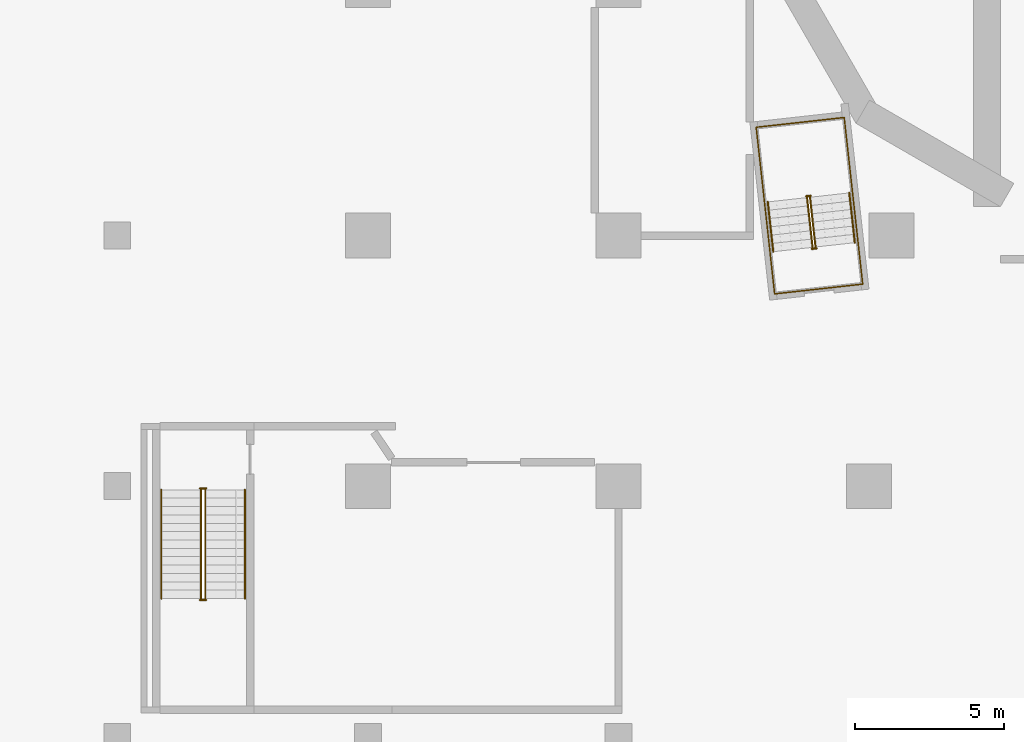
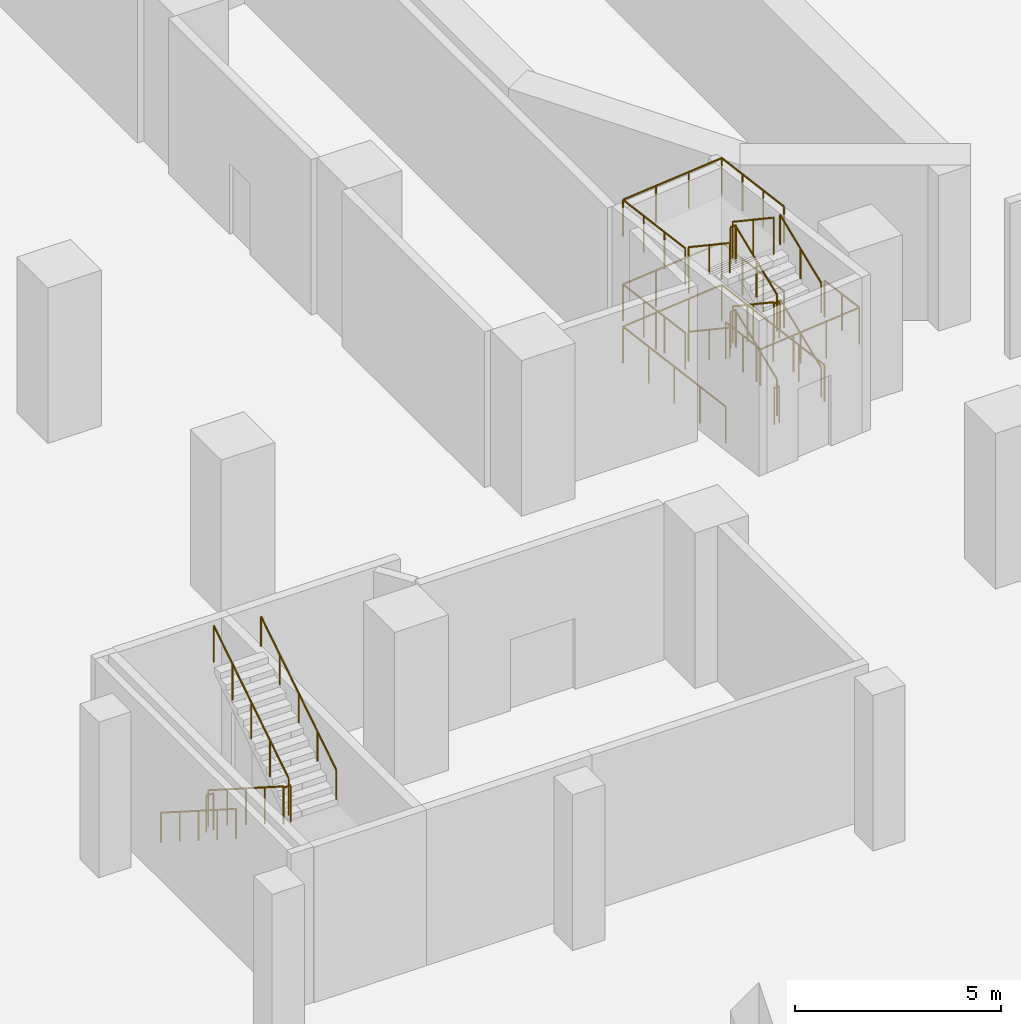
# One storey, part 13 of 20: 19 railings.
"""IFC4 building model written with IfcOpenShell, lengths in metres."""

import ifcopenshell
import ifcopenshell.guid

model = None  # the IFC model being written
_history = None  # IfcOwnerHistory: only IFC2X3 demands one
_inside = {}  # id of a spatial element -> (the spatial element, [elements in it])
_under = {}  # id of a project, library or spatial element -> (it, [spatial elements below it])
_declared = {}  # id of a project -> (the project, [libraries it declares])
_typed = {}  # id of a type object -> (the type object, [elements of that type])
_made_of = {}  # id of a material, layer set ... -> (it, [elements and type objects made of it])


def new_model(schema):
    """Start an empty IFC model of exactly this schema.

    Asked for "IFC4X3", IfcOpenShell would pick the latest addendum, in which some entities
    have other attributes; the version numbers below select the first issue.
    IFC2X3 requires an IfcOwnerHistory on every rooted entity: one is made here for all.
    """
    global model, _history
    if schema == "IFC4X3":
        model = ifcopenshell.file(schema_version=(4, 3, 0, 0))
    else:
        model = ifcopenshell.file(schema=schema)
    _inside.clear()
    _under.clear()
    _declared.clear()
    _typed.clear()
    _made_of.clear()
    _history = None
    if model.schema == "IFC2X3":
        org = make("IfcOrganization", Name="unknown")
        user = make(
            "IfcPersonAndOrganization",
            ThePerson=make("IfcPerson", FamilyName="unknown"),
            TheOrganization=org,
        )
        app = make(
            "IfcApplication",
            ApplicationDeveloper=org,
            Version="unknown",
            ApplicationFullName="unknown",
            ApplicationIdentifier="unknown",
        )
        _history = make(
            "IfcOwnerHistory",
            OwningUser=user,
            OwningApplication=app,
            ChangeAction="ADDED",
            CreationDate=0,
        )
    return model


def make(cls, **values):
    """One entity of the class cls with the attributes given. An attribute that is None is left unset."""
    return model.create_entity(
        cls, **{name: value for name, value in values.items() if value is not None}
    )


def rooted(cls, **values):
    """An entity with a GlobalId (a new one), such as an element, a storey or a relation."""
    return make(cls, GlobalId=ifcopenshell.guid.new(), OwnerHistory=_history, **values)


def si_unit(unit_type, name, prefix=None):
    """IfcSIUnit, for example si_unit("LENGTHUNIT", "METRE", prefix="MILLI")."""
    return make("IfcSIUnit", UnitType=unit_type, Prefix=prefix, Name=name)


def assignment(units):
    """IfcUnitAssignment: the units of a project."""
    return None if units is None else make("IfcUnitAssignment", Units=units)


def point(xyz):
    """IfcCartesianPoint."""
    return None if xyz is None else make("IfcCartesianPoint", Coordinates=xyz)


def direction(xyz):
    """IfcDirection."""
    return None if xyz is None else make("IfcDirection", DirectionRatios=xyz)


def frame(location, z_axis=None, x_axis=None):
    """IfcAxis2Placement3D, a coordinate frame: its origin and axes. An axis left out is left unset."""
    return make(
        "IfcAxis2Placement3D",
        Location=point(location),
        Axis=direction(z_axis),
        RefDirection=direction(x_axis),
    )


def frame_2d(location, x_axis=None):
    """IfcAxis2Placement2D, a coordinate frame in the plane: its origin and x axis."""
    return make(
        "IfcAxis2Placement2D", Location=point(location), RefDirection=direction(x_axis)
    )


def origin():
    """The frame at (0, 0, 0) with its axes left unset."""
    return frame((0.0, 0.0, 0.0))


def origin_2d():
    """The frame at (0, 0) in the plane with its x axis left unset."""
    return frame_2d((0.0, 0.0))


def place(relative_to, where):
    """IfcLocalPlacement: puts the frame where relative to a parent placement (None: the world)."""
    return make(
        "IfcLocalPlacement", PlacementRelTo=relative_to, RelativePlacement=where
    )


def context(
    kind, dimensions, precision=None, world=None, true_north=None, identifier=None
):
    """IfcGeometricRepresentationContext, for example the 3D "Model" context."""
    return make(
        "IfcGeometricRepresentationContext",
        ContextIdentifier=identifier,
        ContextType=kind,
        CoordinateSpaceDimension=dimensions,
        Precision=precision,
        WorldCoordinateSystem=world,
        TrueNorth=true_north,
    )


def subcontext(parent, identifier, kind, view, scale=None):
    """IfcGeometricRepresentationSubContext, for example "Body" below "Model"."""
    return make(
        "IfcGeometricRepresentationSubContext",
        ContextIdentifier=identifier,
        ContextType=kind,
        ParentContext=parent,
        TargetScale=scale,
        TargetView=view,
    )


def project(units=None, contexts=None):
    """IfcProject with its units and contexts."""
    return rooted(
        "IfcProject",
        Name="project",
        RepresentationContexts=contexts,
        UnitsInContext=assignment(units),
    )


def spatial(cls, under=None, at=None, **own):
    """A site, building, storey or space (cls), placed at a placement, below another one or the project."""
    s = rooted(cls, ObjectPlacement=at, **own)
    if under is not None:
        _under.setdefault(under.id(), (under, []))[1].append(s)
    return s


def profile(cls, at=None, kind="AREA", **sizes):
    """A parametric profile (cls). Its sizes go by their IFC names, for example OverallWidth=200.0."""
    return make(cls, ProfileType=kind, Position=at, **sizes)


def circle(**sizes):
    """IfcCircleProfileDef."""
    return profile("IfcCircleProfileDef", **sizes)


def extrude(swept, where, along, depth):
    """IfcExtrudedAreaSolid: the profile swept, set in the frame where, extruded along a direction by depth."""
    return make(
        "IfcExtrudedAreaSolid",
        SweptArea=swept,
        Position=where,
        ExtrudedDirection=direction(along),
        Depth=depth,
    )


def shape(context_of_items, identifier, shape_type, items):
    """IfcShapeRepresentation: the items that make up one representation, for example the "Body"."""
    return make(
        "IfcShapeRepresentation",
        ContextOfItems=context_of_items,
        RepresentationIdentifier=identifier,
        RepresentationType=shape_type,
        Items=items,
    )


def material(Name=None, Category=None):
    """IfcMaterial."""
    return make("IfcMaterial", Name=Name, Category=Category)


def made_of(thing, what):
    """Note that an element or type object is made of a material, layer set ...; save() writes the relation."""
    if what is not None:
        _made_of.setdefault(what.id(), (what, []))[1].append(thing)
    return thing


def type_object(cls, material=None, **own):
    """A type object (cls), such as IfcWallType, which elements share."""
    return made_of(rooted(cls, **own), material)


def element(
    cls,
    number,
    at=None,
    inside=None,
    cuts=None,
    type_object=None,
    material=None,
    context=None,
    identifier="Body",
    shape_type=None,
    held_by="IfcProductDefinitionShape",
    body=None,
    shapes=None,
    **own,
):
    """One element of the class cls, such as IfcWall. Its Tag is "e" and its number.

    at: its placement. inside: the storey or other place that contains it. cuts: it is an
    opening in that element (IfcRelVoidsElement). A single representation is given by context,
    identifier, shape_type and body (its items); several are given by shapes. held_by: the class
    of the entity that holds the representations. save() writes the other relations.
    """
    e = rooted(cls, Tag="e%d" % number, ObjectPlacement=at, **own)
    if body is not None:
        shapes = [shape(context, identifier, shape_type, body)]
    if shapes is not None:
        e.Representation = make(held_by, Representations=shapes)
    if inside is not None:
        _inside.setdefault(inside.id(), (inside, []))[1].append(e)
    if cuts is not None:
        rooted(
            "IfcRelVoidsElement", RelatingBuildingElement=cuts, RelatedOpeningElement=e
        )
    if type_object is not None:
        _typed.setdefault(type_object.id(), (type_object, []))[1].append(e)
    return made_of(e, material)


def aggregate(whole, parts):
    """IfcRelAggregates: a whole, such as a stair, and the parts it consists of."""
    return rooted("IfcRelAggregates", RelatingObject=whole, RelatedObjects=parts)


def save(model, path):
    """Write the relations noted so far, then the file.

    IfcRelAggregates (storeys below a building ...), IfcRelContainedInSpatialStructure (elements
    in a storey), IfcRelDefinesByType, IfcRelAssociatesMaterial and IfcRelDeclares: one each for
    every whole, place, type object, material and project.
    """
    for whole, parts in _under.values():
        aggregate(whole, parts)
    for where, things in _inside.values():
        rooted(
            "IfcRelContainedInSpatialStructure",
            RelatedElements=things,
            RelatingStructure=where,
        )
    for kind, things in _typed.values():
        rooted("IfcRelDefinesByType", RelatedObjects=things, RelatingType=kind)
    for what, things in _made_of.values():
        rooted("IfcRelAssociatesMaterial", RelatedObjects=things, RelatingMaterial=what)
    for by, libraries in _declared.values():
        rooted("IfcRelDeclares", RelatingContext=by, RelatedDefinitions=libraries)
    model.write(path)


model = new_model("IFC4")

# Units and contexts
model_context = context("Model", 3, precision=1e-05, world=origin(), true_north=direction((0.0, 1.0)))
body_context = subcontext(model_context, "Body", "Model", "MODEL_VIEW")
ifc_project = project(units=[si_unit("LENGTHUNIT", "METRE"), si_unit("AREAUNIT", "SQUARE_METRE"), si_unit("VOLUMEUNIT", "CUBIC_METRE"), si_unit("PLANEANGLEUNIT", "RADIAN"), si_unit("MASSUNIT", "GRAM", prefix="KILO")], contexts=[model_context])

# Site, building, storey
site_placement = place(None, origin())
site = spatial("IfcSite", under=ifc_project, at=site_placement, CompositionType="ELEMENT")
building_placement = place(site_placement, origin())
building = spatial("IfcBuilding", under=site, at=building_placement, Name="Cantera Rosa Tower", CompositionType="ELEMENT")
storey_placement = place(building_placement, frame((0.0, 0.0, -5.0)))
storey = spatial("IfcBuildingStorey", under=building, at=storey_placement, Name="B1", CompositionType="ELEMENT", Elevation=-5.0)

# Railings
ifc_material_1 = material(Name="Steel S355J2 (EN 10025-2)", Category="steel")
railing_type_1 = type_object("IfcRailingType", Name="STAIR GUARD 1100", PredefinedType="GUARDRAIL", material=ifc_material_1)
railing_1_placement = place(storey_placement, frame((-10.19677734375, -12.986083984375, 0.178466796875)))
element("IfcRailing", 1, at=railing_1_placement, inside=storey, type_object=railing_type_1, Name="B1 ST-13 stair guard 1", PredefinedType="GUARDRAIL", context=body_context, shape_type="SweptSolid", body=[
    extrude(circle(Radius=0.02392578125, at=origin_2d()), frame((0.0, 0.0, 1.076171875), z_axis=(-0.092996744609, 0.837950904326, 0.537763784046), x_axis=(-0.993897904819, -0.110303920128, 0.0)), (0.0, 0.0, 1.0), 1.99267578125),
    extrude(circle(Radius=0.02392578125, at=origin_2d()), frame((-0.185302734375, 1.669677734375, 2.1474609375), z_axis=(0.358689472963, 0.933456941688, 0.0), x_axis=(-0.933456941688, 0.358689472963, 0.0)), (0.0, 0.0, 1.0), 0.056396484375),
    extrude(circle(Radius=0.02392578125, at=origin_2d()), frame((-0.1650390625, 1.722412109375, 2.1474609375), z_axis=(-0.993863881828, -0.110610055588, 0.0), x_axis=(0.110610055588, -0.993863881828, 0.0)), (0.0, 0.0, 1.0), 0.150146484375),
    extrude(circle(Radius=0.02099609375, at=origin_2d()), origin(), (0.0, 0.0, 1.0), 1.052001953125),
    extrude(circle(Radius=0.02099609375, at=origin_2d()), frame((-0.0927734375, 0.8349609375, 0.53564453125)), (0.0, 0.0, 1.0), 1.052001953125),
    extrude(circle(Radius=0.02099609375, at=origin_2d()), frame((-0.185302734375, 1.669677734375, 1.071533203125)), (0.0, 0.0, 1.0), 1.052001953125),
    extrude(circle(Radius=0.02099609375, at=origin_2d()), frame((-0.1650390625, 1.722412109375, 1.071533203125)), (0.0, 0.0, 1.0), 1.052001953125),
    extrude(circle(Radius=0.02099609375, at=origin_2d()), frame((-0.314208984375, 1.705810546875, 1.071533203125)), (0.0, 0.0, 1.0), 1.052001953125),
])
railing_2_placement = place(storey_placement, frame((-10.4794921875, -11.3271484375, 1.428466796875)))
element("IfcRailing", 2, at=railing_2_placement, inside=storey, type_object=railing_type_1, Name="B1 ST-13 stair guard 2", PredefinedType="GUARDRAIL", context=body_context, shape_type="SweptSolid", body=[
    extrude(circle(Radius=0.02392578125, at=origin_2d()), frame((0.0, 0.0, 1.076171875), z_axis=(0.092996744609, -0.837950904326, 0.537763784046), x_axis=(0.993897904819, 0.110303920128, 0.0)), (0.0, 0.0, 1.0), 1.99267578125),
    extrude(circle(Radius=0.02392578125, at=origin_2d()), frame((0.185302734375, -1.669677734375, 2.1474609375), z_axis=(-0.363909256389, -0.931434406233, 0.0), x_axis=(0.931434406233, -0.363909256389, 0.0)), (0.0, 0.0, 1.0), 0.056396484375),
    extrude(circle(Radius=0.02392578125, at=origin_2d()), frame((0.164794921875, -1.72216796875, 2.1474609375), z_axis=(0.994041430915, 0.1090029065, 0.0), x_axis=(-0.1090029065, 0.994041430915, 0.0)), (0.0, 0.0, 1.0), 0.150146484375),
    extrude(circle(Radius=0.02099609375, at=origin_2d()), origin(), (0.0, 0.0, 1.0), 1.052001953125),
    extrude(circle(Radius=0.02099609375, at=origin_2d()), frame((0.0927734375, -0.8349609375, 0.53564453125)), (0.0, 0.0, 1.0), 1.052001953125),
    extrude(circle(Radius=0.02099609375, at=origin_2d()), frame((0.185302734375, -1.669677734375, 1.071533203125)), (0.0, 0.0, 1.0), 1.052001953125),
    extrude(circle(Radius=0.02099609375, at=origin_2d()), frame((0.164794921875, -1.72216796875, 1.071533203125)), (0.0, 0.0, 1.0), 1.052001953125),
    extrude(circle(Radius=0.02099609375, at=origin_2d()), frame((0.31396484375, -1.705810546875, 1.071533203125)), (0.0, 0.0, 1.0), 1.052001953125),
])
railing_3_placement = place(storey_placement, frame((-10.19677734375, -12.986083984375, 2.678466796875)))
element("IfcRailing", 3, at=railing_3_placement, inside=storey, type_object=railing_type_1, Name="B1 ST-13 stair guard 3", PredefinedType="GUARDRAIL", context=body_context, shape_type="SweptSolid", body=[
    extrude(circle(Radius=0.02392578125, at=origin_2d()), frame((0.0, 0.0, 1.076171875), z_axis=(-0.092996744609, 0.837950904326, 0.537763784046), x_axis=(-0.993897904819, -0.110303920128, 0.0)), (0.0, 0.0, 1.0), 1.99267578125),
    extrude(circle(Radius=0.02392578125, at=origin_2d()), frame((-0.185302734375, 1.669677734375, 2.1474609375), z_axis=(0.358689472963, 0.933456941688, 0.0), x_axis=(-0.933456941688, 0.358689472963, 0.0)), (0.0, 0.0, 1.0), 0.056396484375),
    extrude(circle(Radius=0.02392578125, at=origin_2d()), frame((-0.1650390625, 1.722412109375, 2.1474609375), z_axis=(-0.993863881828, -0.110610055588, 0.0), x_axis=(0.110610055588, -0.993863881828, 0.0)), (0.0, 0.0, 1.0), 0.150146484375),
    extrude(circle(Radius=0.02099609375, at=origin_2d()), origin(), (0.0, 0.0, 1.0), 1.052001953125),
    extrude(circle(Radius=0.02099609375, at=origin_2d()), frame((-0.0927734375, 0.8349609375, 0.53564453125)), (0.0, 0.0, 1.0), 1.052001953125),
    extrude(circle(Radius=0.02099609375, at=origin_2d()), frame((-0.185302734375, 1.669677734375, 1.071533203125)), (0.0, 0.0, 1.0), 1.052001953125),
    extrude(circle(Radius=0.02099609375, at=origin_2d()), frame((-0.1650390625, 1.722412109375, 1.071533203125)), (0.0, 0.0, 1.0), 1.052001953125),
    extrude(circle(Radius=0.02099609375, at=origin_2d()), frame((-0.314208984375, 1.705810546875, 1.071533203125)), (0.0, 0.0, 1.0), 1.052001953125),
])
railing_4_placement = place(storey_placement, frame((-10.4794921875, -11.3271484375, 3.928466796875)))
element("IfcRailing", 4, at=railing_4_placement, inside=storey, type_object=railing_type_1, Name="B1 ST-13 stair guard 4", PredefinedType="GUARDRAIL", context=body_context, shape_type="SweptSolid", body=[
    extrude(circle(Radius=0.02392578125, at=origin_2d()), frame((0.0, 0.0, 1.076171875), z_axis=(0.092996744609, -0.837950904326, 0.537763784046), x_axis=(0.993897904819, 0.110303920128, 0.0)), (0.0, 0.0, 1.0), 1.99267578125),
    extrude(circle(Radius=0.02099609375, at=origin_2d()), origin(), (0.0, 0.0, 1.0), 1.052001953125),
    extrude(circle(Radius=0.02099609375, at=origin_2d()), frame((0.0927734375, -0.8349609375, 0.53564453125)), (0.0, 0.0, 1.0), 1.052001953125),
    extrude(circle(Radius=0.02099609375, at=origin_2d()), frame((0.185302734375, -1.669677734375, 1.071533203125)), (0.0, 0.0, 1.0), 1.052001953125),
])
railing_5_placement = place(storey_placement, frame((-10.16552734375, -13.032958984375, 0.0)))
element("IfcRailing", 5, at=railing_5_placement, inside=storey, type_object=railing_type_1, Name="B1 ST-13 stair guard 5", PredefinedType="GUARDRAIL", context=body_context, shape_type="SweptSolid", body=[
    extrude(circle(Radius=0.02392578125, at=origin_2d()), frame((0.0, 0.0, 1.076171875), z_axis=(-0.994041430915, -0.1090029065, 0.0), x_axis=(0.1090029065, -0.994041430915, 0.0)), (0.0, 0.0, 1.0), 0.150146484375),
    extrude(circle(Radius=0.02099609375, at=origin_2d()), origin(), (0.0, 0.0, 1.0), 1.052001953125),
    extrude(circle(Radius=0.02099609375, at=origin_2d()), frame((-0.149169921875, -0.016357421875, 0.0)), (0.0, 0.0, 1.0), 1.052001953125),
])
railing_6_placement = place(storey_placement, frame((-8.77099609375, -12.815673828125, 0.0)))
element("IfcRailing", 6, at=railing_6_placement, inside=storey, type_object=railing_type_1, Name="B1 ST-13 stair guard 6", PredefinedType="GUARDRAIL", context=body_context, shape_type="SweptSolid", body=[
    extrude(circle(Radius=0.02392578125, at=origin_2d()), frame((0.0, 0.0, 1.076171875), z_axis=(-0.110323013767, 0.9938957856, 0.0), x_axis=(-0.9938957856, -0.110323013767, 0.0)), (0.0, 0.0, 1.0), 4.197998046875),
    extrude(circle(Radius=0.02392578125, at=origin_2d()), frame((-0.463134765625, 4.17236328125, 1.076171875), z_axis=(-0.993896759678, -0.110314237986, 0.0), x_axis=(0.110314237986, -0.993896759678, 0.0)), (0.0, 0.0, 1.0), 2.969970703125),
    extrude(circle(Radius=0.02392578125, at=origin_2d()), frame((-3.4150390625, 3.8447265625, 1.076171875), z_axis=(0.110323013767, -0.9938957856, 0.0), x_axis=(0.9938957856, 0.110323013767, 0.0)), (0.0, 0.0, 1.0), 4.197998046875),
    extrude(circle(Radius=0.02099609375, at=origin_2d()), origin(), (0.0, 0.0, 1.0), 1.052001953125),
    extrude(circle(Radius=0.02099609375, at=origin_2d()), frame((-0.11572265625, 1.04296875, 0.0)), (0.0, 0.0, 1.0), 1.052001953125),
    extrude(circle(Radius=0.02099609375, at=origin_2d()), frame((-0.2314453125, 2.086181640625, 0.0)), (0.0, 0.0, 1.0), 1.052001953125),
    extrude(circle(Radius=0.02099609375, at=origin_2d()), frame((-0.347412109375, 3.12939453125, 0.0)), (0.0, 0.0, 1.0), 1.052001953125),
    extrude(circle(Radius=0.02099609375, at=origin_2d()), frame((-0.463134765625, 4.17236328125, 0.0)), (0.0, 0.0, 1.0), 1.052001953125),
    extrude(circle(Radius=0.02099609375, at=origin_2d()), frame((-1.447021484375, 4.063232421875, 0.0)), (0.0, 0.0, 1.0), 1.052001953125),
    extrude(circle(Radius=0.02099609375, at=origin_2d()), frame((-2.43115234375, 3.953857421875, 0.0)), (0.0, 0.0, 1.0), 1.052001953125),
    extrude(circle(Radius=0.02099609375, at=origin_2d()), frame((-3.4150390625, 3.8447265625, 0.0)), (0.0, 0.0, 1.0), 1.052001953125),
    extrude(circle(Radius=0.02099609375, at=origin_2d()), frame((-3.29931640625, 2.8017578125, 0.0)), (0.0, 0.0, 1.0), 1.052001953125),
    extrude(circle(Radius=0.02099609375, at=origin_2d()), frame((-3.18359375, 1.758544921875, 0.0)), (0.0, 0.0, 1.0), 1.052001953125),
    extrude(circle(Radius=0.02099609375, at=origin_2d()), frame((-3.067626953125, 0.71533203125, 0.0)), (0.0, 0.0, 1.0), 1.052001953125),
    extrude(circle(Radius=0.02099609375, at=origin_2d()), frame((-2.951904296875, -0.32763671875, 0.0)), (0.0, 0.0, 1.0), 1.052001953125),
])
railing_7_placement = place(storey_placement, frame((-8.95361328125, -11.169921875, 1.25)))
element("IfcRailing", 7, at=railing_7_placement, inside=storey, type_object=railing_type_1, Name="B1 ST-13 stair guard 7", PredefinedType="GUARDRAIL", context=body_context, shape_type="SweptSolid", body=[
    extrude(circle(Radius=0.02392578125, at=origin_2d()), frame((0.0, 0.0, 1.076171875), z_axis=(-0.110347199982, 0.993893100618, 0.0), x_axis=(-0.993893100618, -0.110347199982, 0.0)), (0.0, 0.0, 1.0), 2.542236328125),
    extrude(circle(Radius=0.02392578125, at=origin_2d()), frame((-0.280517578125, 2.526611328125, 1.076171875), z_axis=(-0.993896759678, -0.110314237986, 0.0), x_axis=(0.110314237986, -0.993896759678, 0.0)), (0.0, 0.0, 1.0), 2.969970703125),
    extrude(circle(Radius=0.02392578125, at=origin_2d()), frame((-3.232421875, 2.198974609375, 1.076171875), z_axis=(0.110347199982, -0.993893100618, 0.0), x_axis=(0.993893100618, 0.110347199982, 0.0)), (0.0, 0.0, 1.0), 2.542236328125),
    extrude(circle(Radius=0.02099609375, at=origin_2d()), origin(), (0.0, 0.0, 1.0), 1.052001953125),
    extrude(circle(Radius=0.02099609375, at=origin_2d()), frame((-0.093505859375, 0.84228515625, 0.0)), (0.0, 0.0, 1.0), 1.052001953125),
    extrude(circle(Radius=0.02099609375, at=origin_2d()), frame((-0.18701171875, 1.684326171875, 0.0)), (0.0, 0.0, 1.0), 1.052001953125),
    extrude(circle(Radius=0.02099609375, at=origin_2d()), frame((-0.280517578125, 2.526611328125, 0.0)), (0.0, 0.0, 1.0), 1.052001953125),
    extrude(circle(Radius=0.02099609375, at=origin_2d()), frame((-1.264404296875, 2.41748046875, 0.0)), (0.0, 0.0, 1.0), 1.052001953125),
    extrude(circle(Radius=0.02099609375, at=origin_2d()), frame((-2.24853515625, 2.30810546875, 0.0)), (0.0, 0.0, 1.0), 1.052001953125),
    extrude(circle(Radius=0.02099609375, at=origin_2d()), frame((-3.232421875, 2.198974609375, 0.0)), (0.0, 0.0, 1.0), 1.052001953125),
    extrude(circle(Radius=0.02099609375, at=origin_2d()), frame((-3.138916015625, 1.356689453125, 0.0)), (0.0, 0.0, 1.0), 1.052001953125),
    extrude(circle(Radius=0.02099609375, at=origin_2d()), frame((-3.04541015625, 0.5146484375, 0.0)), (0.0, 0.0, 1.0), 1.052001953125),
    extrude(circle(Radius=0.02099609375, at=origin_2d()), frame((-2.951904296875, -0.32763671875, 0.0)), (0.0, 0.0, 1.0), 1.052001953125),
])
railing_8_placement = place(storey_placement, frame((-8.77099609375, -12.815673828125, 2.5)))
element("IfcRailing", 8, at=railing_8_placement, inside=storey, type_object=railing_type_1, Name="B1 ST-13 stair guard 8", PredefinedType="GUARDRAIL", context=body_context, shape_type="SweptSolid", body=[
    extrude(circle(Radius=0.02392578125, at=origin_2d()), frame((0.0, 0.0, 1.076171875), z_axis=(0.110393838913, -0.993887921413, 0.0), x_axis=(0.993887921413, 0.110393838913, 0.0)), (0.0, 0.0, 1.0), 1.422119140625),
    extrude(circle(Radius=0.02392578125, at=origin_2d()), frame((0.156982421875, -1.413330078125, 1.076171875), z_axis=(-0.993896759678, -0.110314237986, 0.0), x_axis=(0.110314237986, -0.993896759678, 0.0)), (0.0, 0.0, 1.0), 2.969970703125),
    extrude(circle(Radius=0.02392578125, at=origin_2d()), frame((-2.794921875, -1.740966796875, 1.076171875), z_axis=(-0.110393838913, 0.993887921413, 0.0), x_axis=(-0.993887921413, -0.110393838913, 0.0)), (0.0, 0.0, 1.0), 1.422119140625),
    extrude(circle(Radius=0.02099609375, at=origin_2d()), origin(), (0.0, 0.0, 1.0), 1.052001953125),
    extrude(circle(Radius=0.02099609375, at=origin_2d()), frame((0.07861328125, -0.70654296875, 0.0)), (0.0, 0.0, 1.0), 1.052001953125),
    extrude(circle(Radius=0.02099609375, at=origin_2d()), frame((0.156982421875, -1.413330078125, 0.0)), (0.0, 0.0, 1.0), 1.052001953125),
    extrude(circle(Radius=0.02099609375, at=origin_2d()), frame((-0.826904296875, -1.5224609375, 0.0)), (0.0, 0.0, 1.0), 1.052001953125),
    extrude(circle(Radius=0.02099609375, at=origin_2d()), frame((-1.81103515625, -1.6318359375, 0.0)), (0.0, 0.0, 1.0), 1.052001953125),
    extrude(circle(Radius=0.02099609375, at=origin_2d()), frame((-2.794921875, -1.740966796875, 0.0)), (0.0, 0.0, 1.0), 1.052001953125),
    extrude(circle(Radius=0.02099609375, at=origin_2d()), frame((-2.87353515625, -1.0341796875, 0.0)), (0.0, 0.0, 1.0), 1.052001953125),
    extrude(circle(Radius=0.02099609375, at=origin_2d()), frame((-2.951904296875, -0.32763671875, 0.0)), (0.0, 0.0, 1.0), 1.052001953125),
])
railing_9_placement = place(storey_placement, frame((-8.95361328125, -11.169921875, 3.75)))
element("IfcRailing", 9, at=railing_9_placement, inside=storey, type_object=railing_type_1, Name="B1 ST-13 stair guard 9", PredefinedType="GUARDRAIL", context=body_context, shape_type="SweptSolid", body=[
    extrude(circle(Radius=0.02392578125, at=origin_2d()), frame((0.0, 0.0, 1.076171875), z_axis=(-0.110347199982, 0.993893100618, 0.0), x_axis=(-0.993893100618, -0.110347199982, 0.0)), (0.0, 0.0, 1.0), 2.542236328125),
    extrude(circle(Radius=0.02392578125, at=origin_2d()), frame((-0.280517578125, 2.526611328125, 1.076171875), z_axis=(-0.993896759678, -0.110314237986, 0.0), x_axis=(0.110314237986, -0.993896759678, 0.0)), (0.0, 0.0, 1.0), 2.969970703125),
    extrude(circle(Radius=0.02392578125, at=origin_2d()), frame((-3.232421875, 2.198974609375, 1.076171875), z_axis=(0.110347199982, -0.993893100618, 0.0), x_axis=(0.993893100618, 0.110347199982, 0.0)), (0.0, 0.0, 1.0), 2.542236328125),
    extrude(circle(Radius=0.02099609375, at=origin_2d()), origin(), (0.0, 0.0, 1.0), 1.052001953125),
    extrude(circle(Radius=0.02099609375, at=origin_2d()), frame((-0.093505859375, 0.84228515625, 0.0)), (0.0, 0.0, 1.0), 1.052001953125),
    extrude(circle(Radius=0.02099609375, at=origin_2d()), frame((-0.18701171875, 1.684326171875, 0.0)), (0.0, 0.0, 1.0), 1.052001953125),
    extrude(circle(Radius=0.02099609375, at=origin_2d()), frame((-0.280517578125, 2.526611328125, 0.0)), (0.0, 0.0, 1.0), 1.052001953125),
    extrude(circle(Radius=0.02099609375, at=origin_2d()), frame((-1.264404296875, 2.41748046875, 0.0)), (0.0, 0.0, 1.0), 1.052001953125),
    extrude(circle(Radius=0.02099609375, at=origin_2d()), frame((-2.24853515625, 2.30810546875, 0.0)), (0.0, 0.0, 1.0), 1.052001953125),
    extrude(circle(Radius=0.02099609375, at=origin_2d()), frame((-3.232421875, 2.198974609375, 0.0)), (0.0, 0.0, 1.0), 1.052001953125),
    extrude(circle(Radius=0.02099609375, at=origin_2d()), frame((-3.138916015625, 1.356689453125, 0.0)), (0.0, 0.0, 1.0), 1.052001953125),
    extrude(circle(Radius=0.02099609375, at=origin_2d()), frame((-3.04541015625, 0.5146484375, 0.0)), (0.0, 0.0, 1.0), 1.052001953125),
    extrude(circle(Radius=0.02099609375, at=origin_2d()), frame((-2.951904296875, -0.32763671875, 0.0)), (0.0, 0.0, 1.0), 1.052001953125),
])
railing_10_placement = place(storey_placement, frame((-30.799072265625, -21.125, 0.178466796875)))
element("IfcRailing", 10, at=railing_10_placement, inside=storey, type_object=railing_type_1, Name="B1 ST-SW stair guard 1", PredefinedType="GUARDRAIL", context=body_context, shape_type="SweptSolid", body=[
    extrude(circle(Radius=0.02392578125, at=origin_2d()), frame((0.0, 0.0, 1.076171875), z_axis=(0.0, -0.843111507901, 0.53773877045), x_axis=(1.0, 0.0, 0.0)), (0.0, 0.0, 1.0), 4.317138671875),
    extrude(circle(Radius=0.02099609375, at=origin_2d()), origin(), (0.0, 0.0, 1.0), 1.052001953125),
    extrude(circle(Radius=0.02099609375, at=origin_2d()), frame((0.0, -0.909912109375, 0.580322265625)), (0.0, 0.0, 1.0), 1.052001953125),
    extrude(circle(Radius=0.02099609375, at=origin_2d()), frame((0.0, -1.81982421875, 1.16064453125)), (0.0, 0.0, 1.0), 1.052001953125),
    extrude(circle(Radius=0.02099609375, at=origin_2d()), frame((0.0, -2.72998046875, 1.7412109375)), (0.0, 0.0, 1.0), 1.052001953125),
    extrude(circle(Radius=0.02099609375, at=origin_2d()), frame((0.0, -3.639892578125, 2.321533203125)), (0.0, 0.0, 1.0), 1.052001953125),
])
railing_11_placement = place(storey_placement, frame((-30.824951171875, -24.81494140625, 2.5)))
element("IfcRailing", 11, at=railing_11_placement, inside=storey, type_object=railing_type_1, Name="B1 ST-SW stair guard 2", PredefinedType="GUARDRAIL", context=body_context, shape_type="SweptSolid", body=[
    extrude(circle(Radius=0.02392578125, at=origin_2d()), frame((0.0, 0.0, 1.076171875), z_axis=(1.0, 0.0, 0.0), x_axis=(0.0, 1.0, 0.0)), (0.0, 0.0, 1.0), 0.199951171875),
    extrude(circle(Radius=0.02099609375, at=origin_2d()), origin(), (0.0, 0.0, 1.0), 1.052001953125),
    extrude(circle(Radius=0.02099609375, at=origin_2d()), frame((0.199951171875, 0.0, 0.0)), (0.0, 0.0, 1.0), 1.052001953125),
])
railing_12_placement = place(storey_placement, frame((-30.65087890625, -24.764892578125, 2.678466796875)))
element("IfcRailing", 12, at=railing_12_placement, inside=storey, type_object=railing_type_1, Name="B1 ST-SW stair guard 3", PredefinedType="GUARDRAIL", context=body_context, shape_type="SweptSolid", body=[
    extrude(circle(Radius=0.02392578125, at=origin_2d()), frame((0.0, 0.0, 1.076171875), z_axis=(0.0, 0.843111507901, 0.53773877045), x_axis=(-1.0, 0.0, 0.0)), (0.0, 0.0, 1.0), 4.317138671875),
    extrude(circle(Radius=0.02099609375, at=origin_2d()), origin(), (0.0, 0.0, 1.0), 1.052001953125),
    extrude(circle(Radius=0.02099609375, at=origin_2d()), frame((0.0, 0.909912109375, 0.580322265625)), (0.0, 0.0, 1.0), 1.052001953125),
    extrude(circle(Radius=0.02099609375, at=origin_2d()), frame((0.0, 1.81982421875, 1.16064453125)), (0.0, 0.0, 1.0), 1.052001953125),
    extrude(circle(Radius=0.02099609375, at=origin_2d()), frame((0.0, 2.72998046875, 1.7412109375)), (0.0, 0.0, 1.0), 1.052001953125),
    extrude(circle(Radius=0.02099609375, at=origin_2d()), frame((0.0, 3.639892578125, 2.321533203125)), (0.0, 0.0, 1.0), 1.052001953125),
])
railing_13_placement = place(storey_placement, frame((-30.824951171875, -21.074951171875, 0.0)))
element("IfcRailing", 13, at=railing_13_placement, inside=storey, type_object=railing_type_1, Name="B1 ST-SW stair guard 4", PredefinedType="GUARDRAIL", context=body_context, shape_type="SweptSolid", body=[
    extrude(circle(Radius=0.02392578125, at=origin_2d()), frame((0.0, 0.0, 1.076171875), z_axis=(1.0, 0.0, 0.0), x_axis=(0.0, 1.0, 0.0)), (0.0, 0.0, 1.0), 0.199951171875),
    extrude(circle(Radius=0.02099609375, at=origin_2d()), origin(), (0.0, 0.0, 1.0), 1.052001953125),
    extrude(circle(Radius=0.02099609375, at=origin_2d()), frame((0.199951171875, 0.0, 0.0)), (0.0, 0.0, 1.0), 1.052001953125),
])
ifc_material_2 = material(Name="Steel S355J2 (EN 10025-2)", Category="steel")
railing_type_2 = type_object("IfcRailingType", Name="STAIR HANDRAIL 900", PredefinedType="HANDRAIL", material=ifc_material_2)
railing_14_placement = place(storey_placement, frame((-8.87890625, -12.83984375, 0.178466796875)))
element("IfcRailing", 14, at=railing_14_placement, inside=storey, type_object=railing_type_2, Name="B1 ST-13 stair handrail 1", PredefinedType="HANDRAIL", context=body_context, shape_type="SweptSolid", body=[
    extrude(circle(Radius=0.02392578125, at=origin_2d()), frame((0.0, 0.0, 0.8759765625), z_axis=(-0.092987197384, 0.837987391448, 0.537708576179), x_axis=(-0.993899672635, -0.11028798999, 0.0)), (0.0, 0.0, 1.0), 1.99267578125),
    extrude(circle(Radius=0.02099609375, at=origin_2d()), origin(), (0.0, 0.0, 1.0), 0.851806640625),
    extrude(circle(Radius=0.02099609375, at=origin_2d()), frame((-0.0927734375, 0.8349609375, 0.53564453125)), (0.0, 0.0, 1.0), 0.851806640625),
    extrude(circle(Radius=0.02099609375, at=origin_2d()), frame((-0.185302734375, 1.669921875, 1.071533203125)), (0.0, 0.0, 1.0), 0.851806640625),
])
railing_15_placement = place(storey_placement, frame((-11.797607421875, -11.473388671875, 1.428466796875)))
element("IfcRailing", 15, at=railing_15_placement, inside=storey, type_object=railing_type_2, Name="B1 ST-13 stair handrail 2", PredefinedType="HANDRAIL", context=body_context, shape_type="SweptSolid", body=[
    extrude(circle(Radius=0.02392578125, at=origin_2d()), frame((0.0, 0.0, 0.8759765625), z_axis=(0.09311820824, -0.837941350202, 0.537757652586), x_axis=(0.993881962282, 0.110447476434, 0.0)), (0.0, 0.0, 1.0), 1.99267578125),
    extrude(circle(Radius=0.02099609375, at=origin_2d()), origin(), (0.0, 0.0, 1.0), 0.851806640625),
    extrude(circle(Radius=0.02099609375, at=origin_2d()), frame((0.0927734375, -0.8349609375, 0.53564453125)), (0.0, 0.0, 1.0), 0.851806640625),
    extrude(circle(Radius=0.02099609375, at=origin_2d()), frame((0.185546875, -1.669677734375, 1.071533203125)), (0.0, 0.0, 1.0), 0.851806640625),
])
railing_16_placement = place(storey_placement, frame((-8.87890625, -12.83984375, 2.678466796875)))
element("IfcRailing", 16, at=railing_16_placement, inside=storey, type_object=railing_type_2, Name="B1 ST-13 stair handrail 3", PredefinedType="HANDRAIL", context=body_context, shape_type="SweptSolid", body=[
    extrude(circle(Radius=0.02392578125, at=origin_2d()), frame((0.0, 0.0, 0.8759765625), z_axis=(-0.092987197384, 0.837987391448, 0.537708576179), x_axis=(-0.993899672635, -0.11028798999, 0.0)), (0.0, 0.0, 1.0), 1.99267578125),
    extrude(circle(Radius=0.02099609375, at=origin_2d()), origin(), (0.0, 0.0, 1.0), 0.851806640625),
    extrude(circle(Radius=0.02099609375, at=origin_2d()), frame((-0.0927734375, 0.8349609375, 0.53564453125)), (0.0, 0.0, 1.0), 0.851806640625),
    extrude(circle(Radius=0.02099609375, at=origin_2d()), frame((-0.185302734375, 1.669921875, 1.071533203125)), (0.0, 0.0, 1.0), 0.851806640625),
])
railing_17_placement = place(storey_placement, frame((-11.797607421875, -11.473388671875, 3.928466796875)))
element("IfcRailing", 17, at=railing_17_placement, inside=storey, type_object=railing_type_2, Name="B1 ST-13 stair handrail 4", PredefinedType="HANDRAIL", context=body_context, shape_type="SweptSolid", body=[
    extrude(circle(Radius=0.02392578125, at=origin_2d()), frame((0.0, 0.0, 0.8759765625), z_axis=(0.09311820824, -0.837941350202, 0.537757652586), x_axis=(0.993881962282, 0.110447476434, 0.0)), (0.0, 0.0, 1.0), 1.99267578125),
    extrude(circle(Radius=0.02099609375, at=origin_2d()), origin(), (0.0, 0.0, 1.0), 0.851806640625),
    extrude(circle(Radius=0.02099609375, at=origin_2d()), frame((0.0927734375, -0.8349609375, 0.53564453125)), (0.0, 0.0, 1.0), 0.851806640625),
    extrude(circle(Radius=0.02099609375, at=origin_2d()), frame((0.185546875, -1.669677734375, 1.071533203125)), (0.0, 0.0, 1.0), 0.851806640625),
])
railing_18_placement = place(storey_placement, frame((-32.125, -21.125, 0.178466796875)))
element("IfcRailing", 18, at=railing_18_placement, inside=storey, type_object=railing_type_2, Name="B1 ST-SW stair handrail 1", PredefinedType="HANDRAIL", context=body_context, shape_type="SweptSolid", body=[
    extrude(circle(Radius=0.02392578125, at=origin_2d()), frame((0.0, 0.0, 0.8759765625), z_axis=(0.0, -0.843111507901, 0.53773877045), x_axis=(1.0, 0.0, 0.0)), (0.0, 0.0, 1.0), 4.317138671875),
    extrude(circle(Radius=0.02099609375, at=origin_2d()), origin(), (0.0, 0.0, 1.0), 0.851806640625),
    extrude(circle(Radius=0.02099609375, at=origin_2d()), frame((0.0, -0.909912109375, 0.580322265625)), (0.0, 0.0, 1.0), 0.851806640625),
    extrude(circle(Radius=0.02099609375, at=origin_2d()), frame((0.0, -1.81982421875, 1.16064453125)), (0.0, 0.0, 1.0), 0.851806640625),
    extrude(circle(Radius=0.02099609375, at=origin_2d()), frame((0.0, -2.72998046875, 1.7412109375)), (0.0, 0.0, 1.0), 0.851806640625),
    extrude(circle(Radius=0.02099609375, at=origin_2d()), frame((0.0, -3.639892578125, 2.321533203125)), (0.0, 0.0, 1.0), 0.851806640625),
])
railing_19_placement = place(storey_placement, frame((-29.324951171875, -24.764892578125, 2.678466796875)))
element("IfcRailing", 19, at=railing_19_placement, inside=storey, type_object=railing_type_2, Name="B1 ST-SW stair handrail 2", PredefinedType="HANDRAIL", context=body_context, shape_type="SweptSolid", body=[
    extrude(circle(Radius=0.02392578125, at=origin_2d()), frame((0.0, 0.0, 0.8759765625), z_axis=(0.0, 0.843111507901, 0.53773877045), x_axis=(-1.0, 0.0, 0.0)), (0.0, 0.0, 1.0), 4.317138671875),
    extrude(circle(Radius=0.02099609375, at=origin_2d()), origin(), (0.0, 0.0, 1.0), 0.851806640625),
    extrude(circle(Radius=0.02099609375, at=origin_2d()), frame((0.0, 0.909912109375, 0.580322265625)), (0.0, 0.0, 1.0), 0.851806640625),
    extrude(circle(Radius=0.02099609375, at=origin_2d()), frame((0.0, 1.81982421875, 1.16064453125)), (0.0, 0.0, 1.0), 0.851806640625),
    extrude(circle(Radius=0.02099609375, at=origin_2d()), frame((0.0, 2.72998046875, 1.7412109375)), (0.0, 0.0, 1.0), 0.851806640625),
    extrude(circle(Radius=0.02099609375, at=origin_2d()), frame((0.0, 3.639892578125, 2.321533203125)), (0.0, 0.0, 1.0), 0.851806640625),
])

save(model, "model.ifc")
